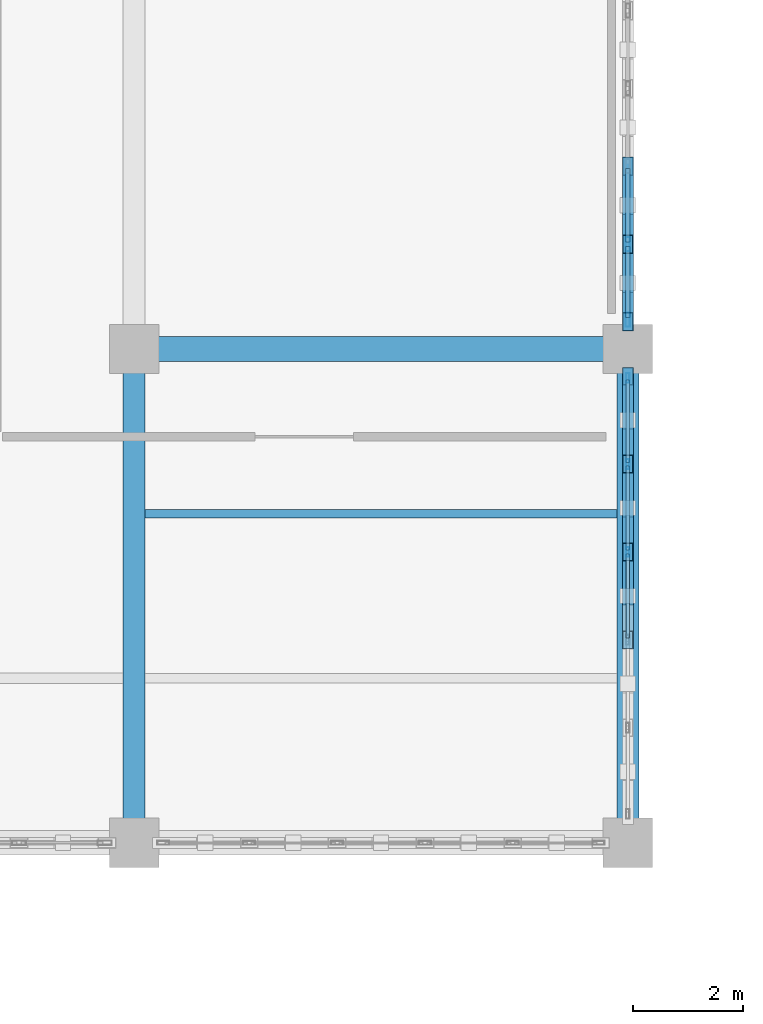
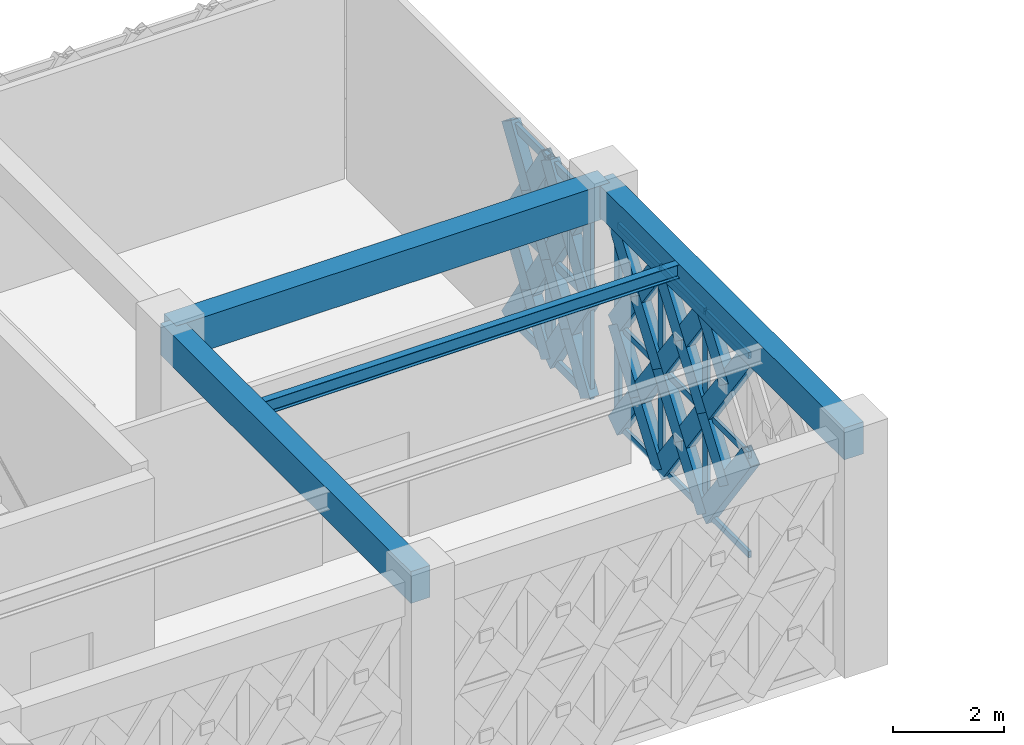
# One storey, part 93 of 166: 48 members, 4 beams, 2 elements without a shape of their own.
"""IFC4 building model written with IfcOpenShell, lengths in metres."""

import ifcopenshell
import ifcopenshell.guid

model = None  # the IFC model being written
_history = None  # IfcOwnerHistory: only IFC2X3 demands one
_inside = {}  # id of a spatial element -> (the spatial element, [elements in it])
_under = {}  # id of a project, library or spatial element -> (it, [spatial elements below it])
_declared = {}  # id of a project -> (the project, [libraries it declares])
_typed = {}  # id of a type object -> (the type object, [elements of that type])
_made_of = {}  # id of a material, layer set ... -> (it, [elements and type objects made of it])


def new_model(schema):
    """Start an empty IFC model of exactly this schema.

    Asked for "IFC4X3", IfcOpenShell would pick the latest addendum, in which some entities
    have other attributes; the version numbers below select the first issue.
    IFC2X3 requires an IfcOwnerHistory on every rooted entity: one is made here for all.
    """
    global model, _history
    if schema == "IFC4X3":
        model = ifcopenshell.file(schema_version=(4, 3, 0, 0))
    else:
        model = ifcopenshell.file(schema=schema)
    _inside.clear()
    _under.clear()
    _declared.clear()
    _typed.clear()
    _made_of.clear()
    _history = None
    if model.schema == "IFC2X3":
        org = make("IfcOrganization", Name="unknown")
        user = make(
            "IfcPersonAndOrganization",
            ThePerson=make("IfcPerson", FamilyName="unknown"),
            TheOrganization=org,
        )
        app = make(
            "IfcApplication",
            ApplicationDeveloper=org,
            Version="unknown",
            ApplicationFullName="unknown",
            ApplicationIdentifier="unknown",
        )
        _history = make(
            "IfcOwnerHistory",
            OwningUser=user,
            OwningApplication=app,
            ChangeAction="ADDED",
            CreationDate=0,
        )
    return model


def make(cls, **values):
    """One entity of the class cls with the attributes given. An attribute that is None is left unset."""
    return model.create_entity(
        cls, **{name: value for name, value in values.items() if value is not None}
    )


def rooted(cls, **values):
    """An entity with a GlobalId (a new one), such as an element, a storey or a relation."""
    return make(cls, GlobalId=ifcopenshell.guid.new(), OwnerHistory=_history, **values)


def si_unit(unit_type, name, prefix=None):
    """IfcSIUnit, for example si_unit("LENGTHUNIT", "METRE", prefix="MILLI")."""
    return make("IfcSIUnit", UnitType=unit_type, Prefix=prefix, Name=name)


def assignment(units):
    """IfcUnitAssignment: the units of a project."""
    return None if units is None else make("IfcUnitAssignment", Units=units)


def point(xyz):
    """IfcCartesianPoint."""
    return None if xyz is None else make("IfcCartesianPoint", Coordinates=xyz)


def direction(xyz):
    """IfcDirection."""
    return None if xyz is None else make("IfcDirection", DirectionRatios=xyz)


def frame(location, z_axis=None, x_axis=None):
    """IfcAxis2Placement3D, a coordinate frame: its origin and axes. An axis left out is left unset."""
    return make(
        "IfcAxis2Placement3D",
        Location=point(location),
        Axis=direction(z_axis),
        RefDirection=direction(x_axis),
    )


def frame_2d(location, x_axis=None):
    """IfcAxis2Placement2D, a coordinate frame in the plane: its origin and x axis."""
    return make(
        "IfcAxis2Placement2D", Location=point(location), RefDirection=direction(x_axis)
    )


def origin():
    """The frame at (0, 0, 0) with its axes left unset."""
    return frame((0.0, 0.0, 0.0))


def origin_2d():
    """The frame at (0, 0) in the plane with its x axis left unset."""
    return frame_2d((0.0, 0.0))


def place(relative_to, where):
    """IfcLocalPlacement: puts the frame where relative to a parent placement (None: the world)."""
    return make(
        "IfcLocalPlacement", PlacementRelTo=relative_to, RelativePlacement=where
    )


def context(
    kind, dimensions, precision=None, world=None, true_north=None, identifier=None
):
    """IfcGeometricRepresentationContext, for example the 3D "Model" context."""
    return make(
        "IfcGeometricRepresentationContext",
        ContextIdentifier=identifier,
        ContextType=kind,
        CoordinateSpaceDimension=dimensions,
        Precision=precision,
        WorldCoordinateSystem=world,
        TrueNorth=true_north,
    )


def subcontext(parent, identifier, kind, view, scale=None):
    """IfcGeometricRepresentationSubContext, for example "Body" below "Model"."""
    return make(
        "IfcGeometricRepresentationSubContext",
        ContextIdentifier=identifier,
        ContextType=kind,
        ParentContext=parent,
        TargetScale=scale,
        TargetView=view,
    )


def project(units=None, contexts=None):
    """IfcProject with its units and contexts."""
    return rooted(
        "IfcProject",
        Name="project",
        RepresentationContexts=contexts,
        UnitsInContext=assignment(units),
    )


def spatial(cls, under=None, at=None, **own):
    """A site, building, storey or space (cls), placed at a placement, below another one or the project."""
    s = rooted(cls, ObjectPlacement=at, **own)
    if under is not None:
        _under.setdefault(under.id(), (under, []))[1].append(s)
    return s


def profile(cls, at=None, kind="AREA", **sizes):
    """A parametric profile (cls). Its sizes go by their IFC names, for example OverallWidth=200.0."""
    return make(cls, ProfileType=kind, Position=at, **sizes)


def rectangle(**sizes):
    """IfcRectangleProfileDef."""
    return profile("IfcRectangleProfileDef", **sizes)


def hollow_rectangle(**sizes):
    """IfcRectangleHollowProfileDef."""
    return profile("IfcRectangleHollowProfileDef", **sizes)


def i_section(**sizes):
    """IfcIShapeProfileDef."""
    return profile("IfcIShapeProfileDef", **sizes)


def extrude(swept, where, along, depth):
    """IfcExtrudedAreaSolid: the profile swept, set in the frame where, extruded along a direction by depth."""
    return make(
        "IfcExtrudedAreaSolid",
        SweptArea=swept,
        Position=where,
        ExtrudedDirection=direction(along),
        Depth=depth,
    )


def shape(context_of_items, identifier, shape_type, items):
    """IfcShapeRepresentation: the items that make up one representation, for example the "Body"."""
    return make(
        "IfcShapeRepresentation",
        ContextOfItems=context_of_items,
        RepresentationIdentifier=identifier,
        RepresentationType=shape_type,
        Items=items,
    )


def material(Name=None, Category=None):
    """IfcMaterial."""
    return make("IfcMaterial", Name=Name, Category=Category)


def material_profile(
    of_material, cross_section, Name=None, Category=None, Priority=None
):
    """IfcMaterialProfile: a cross section and its material."""
    return make(
        "IfcMaterialProfile",
        Name=Name,
        Material=of_material,
        Profile=cross_section,
        Priority=Priority,
        Category=Category,
    )


def profile_set(profiles, Name=None, composite=None):
    """IfcMaterialProfileSet."""
    return make(
        "IfcMaterialProfileSet",
        Name=Name,
        MaterialProfiles=profiles,
        CompositeProfile=composite,
    )


def made_of(thing, what):
    """Note that an element or type object is made of a material, layer set ...; save() writes the relation."""
    if what is not None:
        _made_of.setdefault(what.id(), (what, []))[1].append(thing)
    return thing


def type_object(cls, material=None, **own):
    """A type object (cls), such as IfcWallType, which elements share."""
    return made_of(rooted(cls, **own), material)


def element(
    cls,
    number,
    at=None,
    inside=None,
    cuts=None,
    type_object=None,
    material=None,
    context=None,
    identifier="Body",
    shape_type=None,
    held_by="IfcProductDefinitionShape",
    body=None,
    shapes=None,
    **own,
):
    """One element of the class cls, such as IfcWall. Its Tag is "e" and its number.

    at: its placement. inside: the storey or other place that contains it. cuts: it is an
    opening in that element (IfcRelVoidsElement). A single representation is given by context,
    identifier, shape_type and body (its items); several are given by shapes. held_by: the class
    of the entity that holds the representations. save() writes the other relations.
    """
    e = rooted(cls, Tag="e%d" % number, ObjectPlacement=at, **own)
    if body is not None:
        shapes = [shape(context, identifier, shape_type, body)]
    if shapes is not None:
        e.Representation = make(held_by, Representations=shapes)
    if inside is not None:
        _inside.setdefault(inside.id(), (inside, []))[1].append(e)
    if cuts is not None:
        rooted(
            "IfcRelVoidsElement", RelatingBuildingElement=cuts, RelatedOpeningElement=e
        )
    if type_object is not None:
        _typed.setdefault(type_object.id(), (type_object, []))[1].append(e)
    return made_of(e, material)


def aggregate(whole, parts):
    """IfcRelAggregates: a whole, such as a stair, and the parts it consists of."""
    return rooted("IfcRelAggregates", RelatingObject=whole, RelatedObjects=parts)


def save(model, path):
    """Write the relations noted so far, then the file.

    IfcRelAggregates (storeys below a building ...), IfcRelContainedInSpatialStructure (elements
    in a storey), IfcRelDefinesByType, IfcRelAssociatesMaterial and IfcRelDeclares: one each for
    every whole, place, type object, material and project.
    """
    for whole, parts in _under.values():
        aggregate(whole, parts)
    for where, things in _inside.values():
        rooted(
            "IfcRelContainedInSpatialStructure",
            RelatedElements=things,
            RelatingStructure=where,
        )
    for kind, things in _typed.values():
        rooted("IfcRelDefinesByType", RelatedObjects=things, RelatingType=kind)
    for what, things in _made_of.values():
        rooted("IfcRelAssociatesMaterial", RelatedObjects=things, RelatingMaterial=what)
    for by, libraries in _declared.values():
        rooted("IfcRelDeclares", RelatingContext=by, RelatedDefinitions=libraries)
    model.write(path)


model = new_model("IFC4")

# Units and contexts
model_context = context("Model", 3, precision=1e-05, world=origin(), true_north=direction((0.0, 1.0)))
body_context = subcontext(model_context, "Body", "Model", "MODEL_VIEW")
ifc_project = project(units=[si_unit("LENGTHUNIT", "METRE"), si_unit("AREAUNIT", "SQUARE_METRE"), si_unit("VOLUMEUNIT", "CUBIC_METRE"), si_unit("PLANEANGLEUNIT", "RADIAN"), si_unit("MASSUNIT", "GRAM", prefix="KILO")], contexts=[model_context])

# Site, building, storey
site_placement = place(None, origin())
site = spatial("IfcSite", under=ifc_project, at=site_placement, CompositionType="ELEMENT")
building_placement = place(site_placement, origin())
building = spatial("IfcBuilding", under=site, at=building_placement, Name="Haizhuo Lancet Aquarium", CompositionType="ELEMENT")
storey_placement = place(building_placement, frame((0.0, 0.0, 5.39990234375)))
storey = spatial("IfcBuildingStorey", under=building, at=storey_placement, Name="L01", CompositionType="ELEMENT", Elevation=5.39990234375)

# Beams
ifc_material_1 = material(Name="Concrete C40/50", Category="concrete")
ifc_material_profile_1 = material_profile(ifc_material_1, rectangle(XDim=0.39990234375, YDim=0.699951171875, at=origin_2d()), Name="RC-BM 400x700")
ifc_profile_set_1 = profile_set([ifc_material_profile_1], Name="Concrete C40/50")
beam_type_1 = type_object("IfcBeamType", Name="BM-RC-400x700", PredefinedType="BEAM", material=ifc_profile_set_1)
for number, where, z_axis, x_axis, name in (
    (1, (18.0, 36.0, 4.7900390625), (0.0, 1.0, 0.0), (-1.0, 0.0, 0.0), "L01 V5 primary girder BM-L01-V5-028"),
    (2, (27.0, 36.0, 4.7900390625), (0.0, 1.0, 0.0), (-1.0, 0.0, 0.0), "L01 V5 primary girder BM-L01-V5-032"),
):
    element("IfcBeam", number, at=place(storey_placement, frame(where, z_axis=z_axis, x_axis=x_axis)), inside=storey, type_object=beam_type_1, Name=name, PredefinedType="BEAM", context=body_context, shape_type="SweptSolid", body=[
        extrude(rectangle(XDim=0.39990234375, YDim=0.699951171875, at=origin_2d()), origin(), (0.0, 0.0, 1.0), 9.0),
    ])
ifc_material_profile_2 = material_profile(ifc_material_1, rectangle(XDim=0.449951171875, YDim=0.75, at=origin_2d()), Name="RC-BM 450x750")
ifc_profile_set_2 = profile_set([ifc_material_profile_2], Name="Concrete C40/50")
beam_type_2 = type_object("IfcBeamType", Name="BM-RC-450x750", PredefinedType="BEAM", material=ifc_profile_set_2)
beam_1_placement = place(storey_placement, frame((18.0, 45.0, 4.76513671875), z_axis=(1.0, 0.0, 0.0), x_axis=(0.0, 1.0, 0.0)))
element("IfcBeam", 3, at=beam_1_placement, inside=storey, type_object=beam_type_2, Name="L01 V5 primary girder BM-L01-V5-031", PredefinedType="BEAM", context=body_context, shape_type="SweptSolid", body=[
    extrude(rectangle(XDim=0.449951171875, YDim=0.75, at=origin_2d()), origin(), (0.0, 0.0, 1.0), 9.0),
])

# Curtain wall, members
ifc_material_2 = material(Name="Aluminium 6063-T6", Category="aluminium")
curtain_wall_type_1 = type_object("IfcCurtainWallType", Name="CWD-8010x4440", PredefinedType="NOTDEFINED", material=ifc_material_2)
curtain_wall_1_placement = place(storey_placement, origin())
curtain_wall_1 = element("IfcCurtainWall", 4, at=curtain_wall_1_placement, inside=storey, type_object=curtain_wall_type_1, Name="L01 curtain wall CW-V5-L01-136", PredefinedType="NOTDEFINED")
ifc_material_profile_3 = material_profile(ifc_material_2, hollow_rectangle(XDim=0.06494140625, YDim=0.179931640625, WallThickness=0.00390625, at=origin_2d()), Name="ALU-M 65x180x4")
ifc_profile_set_3 = profile_set([ifc_material_profile_3], Name="Aluminium 6063-T6")
member_type_1 = type_object("IfcMemberType", Name="CW-MUL-1", PredefinedType="MULLION", material=ifc_profile_set_3)
member_1_placement = place(storey_placement, frame((27.0, 44.472900390625, 0.0), z_axis=(0.0, 0.0, 1.0), x_axis=(1.0, 0.0, 0.0)))
member_1 = element("IfcMember", 5, at=member_1_placement, type_object=member_type_1, Name="CWD-80x44 mullion 1", PredefinedType="MULLION", context=body_context, shape_type="SweptSolid", body=[
    extrude(hollow_rectangle(XDim=0.06494140625, YDim=0.179931640625, WallThickness=0.00390625, at=origin_2d()), origin(), (0.0, 0.0, 1.0), 4.440185546875),
])
member_2_placement = place(storey_placement, frame((27.0, 42.903076171875, 0.0), z_axis=(0.0, 0.0, 1.0), x_axis=(1.0, 0.0, 0.0)))
member_2 = element("IfcMember", 6, at=member_2_placement, type_object=member_type_1, Name="CWD-80x44 mullion 2", PredefinedType="MULLION", context=body_context, shape_type="SweptSolid", body=[
    extrude(hollow_rectangle(XDim=0.06494140625, YDim=0.179931640625, WallThickness=0.00390625, at=origin_2d()), origin(), (0.0, 0.0, 1.0), 4.440185546875),
])
member_3_placement = place(storey_placement, frame((27.0, 41.301025390625, 0.0), z_axis=(0.0, 0.0, 1.0), x_axis=(1.0, 0.0, 0.0)))
member_3 = element("IfcMember", 7, at=member_3_placement, type_object=member_type_1, Name="CWD-80x44 mullion 3", PredefinedType="MULLION", context=body_context, shape_type="SweptSolid", body=[
    extrude(hollow_rectangle(XDim=0.06494140625, YDim=0.179931640625, WallThickness=0.00390625, at=origin_2d()), origin(), (0.0, 0.0, 1.0), 4.440185546875),
])

curtain_wall_type_2 = type_object("IfcCurtainWallType", Name="CWD-8510x4380", PredefinedType="NOTDEFINED", material=ifc_material_2)
curtain_wall_2_placement = place(storey_placement, origin())
curtain_wall_2 = element("IfcCurtainWall", 8, at=curtain_wall_2_placement, inside=storey, type_object=curtain_wall_type_2, Name="L01 curtain wall CW-V5-L01-135", PredefinedType="NOTDEFINED")
ifc_material_profile_4 = material_profile(ifc_material_2, hollow_rectangle(XDim=0.080078125, YDim=0.260009765625, WallThickness=0.0048828125, at=origin_2d()), Name="ALU-M 80x260x5")
ifc_profile_set_4 = profile_set([ifc_material_profile_4], Name="Aluminium 6063-T6")
member_type_2 = type_object("IfcMemberType", Name="CW-MUL-3", PredefinedType="MULLION", material=ifc_profile_set_4)
member_4_placement = place(storey_placement, frame((27.0, 46.912109375, 0.0), z_axis=(0.0, 0.0, 1.0), x_axis=(1.0, 0.0, 0.0)))
member_4 = element("IfcMember", 9, at=member_4_placement, type_object=member_type_2, Name="CWD-85x43 mullion 6", PredefinedType="MULLION", context=body_context, shape_type="SweptSolid", body=[
    extrude(hollow_rectangle(XDim=0.080078125, YDim=0.260009765625, WallThickness=0.0048828125, at=origin_2d()), origin(), (0.0, 0.0, 1.0), 4.375),
])
member_5_placement = place(storey_placement, frame((27.0, 45.534912109375, 0.0), z_axis=(0.0, 0.0, 1.0), x_axis=(1.0, 0.0, 0.0)))
member_5 = element("IfcMember", 10, at=member_5_placement, type_object=member_type_2, Name="CWD-85x43 mullion 7", PredefinedType="MULLION", context=body_context, shape_type="SweptSolid", body=[
    extrude(hollow_rectangle(XDim=0.080078125, YDim=0.260009765625, WallThickness=0.0048828125, at=origin_2d()), origin(), (0.0, 0.0, 1.0), 4.375),
])

# Member
ifc_material_profile_5 = material_profile(ifc_material_2, hollow_rectangle(XDim=0.06494140625, YDim=0.139892578125, WallThickness=0.00390625, at=origin_2d()), Name="ALU-T 65x140x4")
ifc_profile_set_5 = profile_set([ifc_material_profile_5], Name="Aluminium 6063-T6")
member_type_3 = type_object("IfcMemberType", Name="CW-TRN-1", PredefinedType="NOTDEFINED", material=ifc_profile_set_5)
member_6_placement = place(storey_placement, frame((27.0, 44.43994140625, 0.033203125), z_axis=(0.0, -1.0, 0.0), x_axis=(1.0, 0.0, 0.0)))
member_6 = element("IfcMember", 11, at=member_6_placement, type_object=member_type_3, Name="CWD-80x44 transom 1.1", ObjectType="TRANSOM", PredefinedType="USERDEFINED", context=body_context, shape_type="SweptSolid", body=[
    extrude(hollow_rectangle(XDim=0.06494140625, YDim=0.139892578125, WallThickness=0.00390625, at=origin_2d()), origin(), (0.0, 0.0, 1.0), 1.50390625),
])

member_7_placement = place(storey_placement, frame((27.0, 44.43994140625, 2.22021484375), z_axis=(0.0, -1.0, 0.0), x_axis=(1.0, 0.0, 0.0)))
member_7 = element("IfcMember", 12, at=member_7_placement, type_object=member_type_3, Name="CWD-80x44 transom 1.2", ObjectType="TRANSOM", PredefinedType="USERDEFINED", context=body_context, shape_type="SweptSolid", body=[
    extrude(hollow_rectangle(XDim=0.06494140625, YDim=0.139892578125, WallThickness=0.00390625, at=origin_2d()), origin(), (0.0, 0.0, 1.0), 1.50390625),
])

member_8_placement = place(storey_placement, frame((27.0, 44.43994140625, 4.406982421875), z_axis=(0.0, -1.0, 0.0), x_axis=(1.0, 0.0, 0.0)))
member_8 = element("IfcMember", 13, at=member_8_placement, type_object=member_type_3, Name="CWD-80x44 transom 1.3", ObjectType="TRANSOM", PredefinedType="USERDEFINED", context=body_context, shape_type="SweptSolid", body=[
    extrude(hollow_rectangle(XDim=0.06494140625, YDim=0.139892578125, WallThickness=0.00390625, at=origin_2d()), origin(), (0.0, 0.0, 1.0), 1.50390625),
])

member_9_placement = place(storey_placement, frame((27.0, 42.8701171875, 0.033203125), z_axis=(0.0, -1.0, 0.0), x_axis=(1.0, 0.0, 0.0)))
member_9 = element("IfcMember", 14, at=member_9_placement, type_object=member_type_3, Name="CWD-80x44 transom 2.1", ObjectType="TRANSOM", PredefinedType="USERDEFINED", context=body_context, shape_type="SweptSolid", body=[
    extrude(hollow_rectangle(XDim=0.06494140625, YDim=0.139892578125, WallThickness=0.00390625, at=origin_2d()), origin(), (0.0, 0.0, 1.0), 1.5361328125),
])

member_10_placement = place(storey_placement, frame((27.0, 42.8701171875, 2.22021484375), z_axis=(0.0, -1.0, 0.0), x_axis=(1.0, 0.0, 0.0)))
member_10 = element("IfcMember", 15, at=member_10_placement, type_object=member_type_3, Name="CWD-80x44 transom 2.2", ObjectType="TRANSOM", PredefinedType="USERDEFINED", context=body_context, shape_type="SweptSolid", body=[
    extrude(hollow_rectangle(XDim=0.06494140625, YDim=0.139892578125, WallThickness=0.00390625, at=origin_2d()), origin(), (0.0, 0.0, 1.0), 1.5361328125),
])

member_11_placement = place(storey_placement, frame((27.0, 42.8701171875, 4.406982421875), z_axis=(0.0, -1.0, 0.0), x_axis=(1.0, 0.0, 0.0)))
member_11 = element("IfcMember", 16, at=member_11_placement, type_object=member_type_3, Name="CWD-80x44 transom 2.3", ObjectType="TRANSOM", PredefinedType="USERDEFINED", context=body_context, shape_type="SweptSolid", body=[
    extrude(hollow_rectangle(XDim=0.06494140625, YDim=0.139892578125, WallThickness=0.00390625, at=origin_2d()), origin(), (0.0, 0.0, 1.0), 1.5361328125),
])

member_12_placement = place(storey_placement, frame((27.0, 41.26904296875, 0.033203125), z_axis=(0.0, -1.0, 0.0), x_axis=(1.0, 0.0, 0.0)))
member_12 = element("IfcMember", 17, at=member_12_placement, type_object=member_type_3, Name="CWD-80x44 transom 3.1", ObjectType="TRANSOM", PredefinedType="USERDEFINED", context=body_context, shape_type="SweptSolid", body=[
    extrude(hollow_rectangle(XDim=0.06494140625, YDim=0.139892578125, WallThickness=0.00390625, at=origin_2d()), origin(), (0.0, 0.0, 1.0), 1.5380859375),
])

member_13_placement = place(storey_placement, frame((27.0, 41.26904296875, 2.22021484375), z_axis=(0.0, -1.0, 0.0), x_axis=(1.0, 0.0, 0.0)))
member_13 = element("IfcMember", 18, at=member_13_placement, type_object=member_type_3, Name="CWD-80x44 transom 3.2", ObjectType="TRANSOM", PredefinedType="USERDEFINED", context=body_context, shape_type="SweptSolid", body=[
    extrude(hollow_rectangle(XDim=0.06494140625, YDim=0.139892578125, WallThickness=0.00390625, at=origin_2d()), origin(), (0.0, 0.0, 1.0), 1.5380859375),
])

member_14_placement = place(storey_placement, frame((27.0, 41.26904296875, 4.406982421875), z_axis=(0.0, -1.0, 0.0), x_axis=(1.0, 0.0, 0.0)))
member_14 = element("IfcMember", 19, at=member_14_placement, type_object=member_type_3, Name="CWD-80x44 transom 3.3", ObjectType="TRANSOM", PredefinedType="USERDEFINED", context=body_context, shape_type="SweptSolid", body=[
    extrude(hollow_rectangle(XDim=0.06494140625, YDim=0.139892578125, WallThickness=0.00390625, at=origin_2d()), origin(), (0.0, 0.0, 1.0), 1.5380859375),
])

aggregate(curtain_wall_1, [member_1, member_2, member_3, member_6, member_7, member_8, member_9, member_10, member_11, member_12, member_13, member_14])

ifc_material_profile_6 = material_profile(ifc_material_2, hollow_rectangle(XDim=0.080078125, YDim=0.18994140625, WallThickness=0.0048828125, at=origin_2d()), Name="ALU-T 80x190x5")
ifc_profile_set_6 = profile_set([ifc_material_profile_6], Name="Aluminium 6063-T6")
member_type_4 = type_object("IfcMemberType", Name="CW-TRN-3", PredefinedType="NOTDEFINED", material=ifc_profile_set_6)
member_15_placement = place(storey_placement, frame((27.0, 48.2900390625, 0.0400390625), z_axis=(0.0, -1.0, 0.0), x_axis=(1.0, 0.0, 0.0)))
member_15 = element("IfcMember", 20, at=member_15_placement, type_object=member_type_4, Name="CWD-85x43 transom 5.1", ObjectType="TRANSOM", PredefinedType="USERDEFINED", context=body_context, shape_type="SweptSolid", body=[
    extrude(hollow_rectangle(XDim=0.080078125, YDim=0.18994140625, WallThickness=0.0048828125, at=origin_2d()), origin(), (0.0, 0.0, 1.0), 1.337158203125),
])

member_16_placement = place(storey_placement, frame((27.0, 48.2900390625, 2.18798828125), z_axis=(0.0, -1.0, 0.0), x_axis=(1.0, 0.0, 0.0)))
member_16 = element("IfcMember", 21, at=member_16_placement, type_object=member_type_4, Name="CWD-85x43 transom 5.2", ObjectType="TRANSOM", PredefinedType="USERDEFINED", context=body_context, shape_type="SweptSolid", body=[
    extrude(hollow_rectangle(XDim=0.080078125, YDim=0.18994140625, WallThickness=0.0048828125, at=origin_2d()), origin(), (0.0, 0.0, 1.0), 1.337158203125),
])

member_17_placement = place(storey_placement, frame((27.0, 48.2900390625, 4.335205078125), z_axis=(0.0, -1.0, 0.0), x_axis=(1.0, 0.0, 0.0)))
member_17 = element("IfcMember", 22, at=member_17_placement, type_object=member_type_4, Name="CWD-85x43 transom 5.3", ObjectType="TRANSOM", PredefinedType="USERDEFINED", context=body_context, shape_type="SweptSolid", body=[
    extrude(hollow_rectangle(XDim=0.080078125, YDim=0.18994140625, WallThickness=0.0048828125, at=origin_2d()), origin(), (0.0, 0.0, 1.0), 1.337158203125),
])

member_18_placement = place(storey_placement, frame((27.0, 46.8720703125, 0.0400390625), z_axis=(0.0, -1.0, 0.0), x_axis=(1.0, 0.0, 0.0)))
member_18 = element("IfcMember", 23, at=member_18_placement, type_object=member_type_4, Name="CWD-85x43 transom 6.1", ObjectType="TRANSOM", PredefinedType="USERDEFINED", context=body_context, shape_type="SweptSolid", body=[
    extrude(hollow_rectangle(XDim=0.080078125, YDim=0.18994140625, WallThickness=0.0048828125, at=origin_2d()), origin(), (0.0, 0.0, 1.0), 1.297119140625),
])

member_19_placement = place(storey_placement, frame((27.0, 46.8720703125, 2.18798828125), z_axis=(0.0, -1.0, 0.0), x_axis=(1.0, 0.0, 0.0)))
member_19 = element("IfcMember", 24, at=member_19_placement, type_object=member_type_4, Name="CWD-85x43 transom 6.2", ObjectType="TRANSOM", PredefinedType="USERDEFINED", context=body_context, shape_type="SweptSolid", body=[
    extrude(hollow_rectangle(XDim=0.080078125, YDim=0.18994140625, WallThickness=0.0048828125, at=origin_2d()), origin(), (0.0, 0.0, 1.0), 1.297119140625),
])

member_20_placement = place(storey_placement, frame((27.0, 46.8720703125, 4.335205078125), z_axis=(0.0, -1.0, 0.0), x_axis=(1.0, 0.0, 0.0)))
member_20 = element("IfcMember", 25, at=member_20_placement, type_object=member_type_4, Name="CWD-85x43 transom 6.3", ObjectType="TRANSOM", PredefinedType="USERDEFINED", context=body_context, shape_type="SweptSolid", body=[
    extrude(hollow_rectangle(XDim=0.080078125, YDim=0.18994140625, WallThickness=0.0048828125, at=origin_2d()), origin(), (0.0, 0.0, 1.0), 1.297119140625),
])

aggregate(curtain_wall_2, [member_4, member_5, member_15, member_16, member_17, member_18, member_19, member_20])

# Beam
ifc_material_3 = material(Name="Steel S355", Category="steel")
ifc_material_profile_7 = material_profile(ifc_material_3, i_section(OverallWidth=0.14990234375, OverallDepth=0.300048828125, WebThickness=0.006591796875, FlangeThickness=0.009033203125, FilletRadius=0.012939453125, at=origin_2d()), Name="HN 300x150x6.5x9")
ifc_profile_set_7 = profile_set([ifc_material_profile_7], Name="Steel S355")
beam_type_3 = type_object("IfcBeamType", Name="JST-ST-HN300", PredefinedType="JOIST", material=ifc_profile_set_7)
beam_2_placement = place(storey_placement, frame((18.199951171875, 42.0, 4.989990234375), z_axis=(1.0, 0.0, 0.0), x_axis=(0.0, 1.0, 0.0)))
element("IfcBeam", 26, at=beam_2_placement, inside=storey, type_object=beam_type_3, Name="L01 V5 secondary floor joist 22", PredefinedType="JOIST", context=body_context, shape_type="SweptSolid", body=[
    extrude(i_section(OverallWidth=0.14990234375, OverallDepth=0.300048828125, WebThickness=0.006591796875, FlangeThickness=0.009033203125, FilletRadius=0.012939453125, at=origin_2d()), origin(), (0.0, 0.0, 1.0), 8.60009765625),
])

# Members
ifc_material_profile_8 = material_profile(ifc_material_3, hollow_rectangle(XDim=0.199951171875, YDim=0.39990234375, WallThickness=0.011962890625, at=origin_2d()), Name="RHS 200x400x12")
ifc_profile_set_8 = profile_set([ifc_material_profile_8], Name="Steel S355")
member_type_5 = type_object("IfcMemberType", Name="MEM-LB-RHS200x400", PredefinedType="BRACE", material=ifc_profile_set_8)
member_21_placement = place(storey_placement, frame((27.0, 48.330078125, 0.0), z_axis=(0.0, -0.543849052786, 0.839183059757), x_axis=(1.0, 0.0, 0.0)))
element("IfcMember", 27, at=member_21_placement, inside=storey, type_object=member_type_5, Name="Gothic lancet continuous diagonal brace CW-V5-L01-135 9A", PredefinedType="BRACE", context=body_context, shape_type="SweptSolid", body=[
    extrude(hollow_rectangle(XDim=0.199951171875, YDim=0.39990234375, WallThickness=0.011962890625, at=origin_2d()), origin(), (0.0, 0.0, 1.0), 2.607177734375),
])
for number, where, z_axis, x_axis, name in (
    (28, (27.0, 46.912109375, 0.0), (0.0, 0.543849052786, 0.839183059757), (-1.0, 0.0, 0.0), "Gothic lancet split diagonal brace CW-V5-L01-135 9B1"),
    (29, (27.0, 47.62109375, 1.093994140625), (0.0, 0.543849052786, 0.839183059757), (-1.0, 0.0, 0.0), "Gothic lancet split diagonal brace CW-V5-L01-135 9B2"),
):
    element("IfcMember", number, at=place(storey_placement, frame(where, z_axis=z_axis, x_axis=x_axis)), inside=storey, type_object=member_type_5, Name=name, PredefinedType="BRACE", context=body_context, shape_type="SweptSolid", body=[
        extrude(hollow_rectangle(XDim=0.199951171875, YDim=0.39990234375, WallThickness=0.011962890625, at=origin_2d()), origin(), (0.0, 0.0, 1.0), 1.3037109375),
    ])
member_22_placement = place(storey_placement, frame((27.0, 48.330078125, 2.18798828125), z_axis=(0.0, -0.544020036477, 0.839072225682), x_axis=(1.0, 0.0, 0.0)))
element("IfcMember", 30, at=member_22_placement, inside=storey, type_object=member_type_5, Name="Gothic lancet continuous diagonal brace CW-V5-L01-135 10A", PredefinedType="BRACE", context=body_context, shape_type="SweptSolid", body=[
    extrude(hollow_rectangle(XDim=0.199951171875, YDim=0.39990234375, WallThickness=0.011962890625, at=origin_2d()), origin(), (0.0, 0.0, 1.0), 2.6064453125),
])
member_23_placement = place(storey_placement, frame((27.0, 46.912109375, 2.18798828125), z_axis=(0.0, 0.544191105099, 0.838961287028), x_axis=(-1.0, 0.0, 0.0)))
element("IfcMember", 31, at=member_23_placement, inside=storey, type_object=member_type_5, Name="Gothic lancet split diagonal brace CW-V5-L01-135 10B1", PredefinedType="BRACE", context=body_context, shape_type="SweptSolid", body=[
    extrude(hollow_rectangle(XDim=0.199951171875, YDim=0.39990234375, WallThickness=0.011962890625, at=origin_2d()), origin(), (0.0, 0.0, 1.0), 1.302734375),
])
member_24_placement = place(storey_placement, frame((27.0, 47.62109375, 3.281005859375), z_axis=(0.0, 0.543849052786, 0.839183059757), x_axis=(-1.0, 0.0, 0.0)))
element("IfcMember", 32, at=member_24_placement, inside=storey, type_object=member_type_5, Name="Gothic lancet split diagonal brace CW-V5-L01-135 10B2", PredefinedType="BRACE", context=body_context, shape_type="SweptSolid", body=[
    extrude(hollow_rectangle(XDim=0.199951171875, YDim=0.39990234375, WallThickness=0.011962890625, at=origin_2d()), origin(), (0.0, 0.0, 1.0), 1.3037109375),
])
member_25_placement = place(storey_placement, frame((27.0, 46.912109375, 0.0), z_axis=(0.0, -0.543585202318, 0.839353994344), x_axis=(1.0, 0.0, 0.0)))
element("IfcMember", 33, at=member_25_placement, inside=storey, type_object=member_type_5, Name="Gothic lancet continuous diagonal brace CW-V5-L01-135 11A", PredefinedType="BRACE", context=body_context, shape_type="SweptSolid", body=[
    extrude(hollow_rectangle(XDim=0.199951171875, YDim=0.39990234375, WallThickness=0.011962890625, at=origin_2d()), origin(), (0.0, 0.0, 1.0), 2.606689453125),
])
member_26_placement = place(storey_placement, frame((27.0, 45.4951171875, 0.0), z_axis=(0.0, 0.543189124269, 0.83961037111), x_axis=(-1.0, 0.0, 0.0)))
element("IfcMember", 34, at=member_26_placement, inside=storey, type_object=member_type_5, Name="Gothic lancet split diagonal brace CW-V5-L01-135 11B1", PredefinedType="BRACE", context=body_context, shape_type="SweptSolid", body=[
    extrude(hollow_rectangle(XDim=0.199951171875, YDim=0.39990234375, WallThickness=0.011962890625, at=origin_2d()), origin(), (0.0, 0.0, 1.0), 1.302978515625),
])
member_27_placement = place(storey_placement, frame((27.0, 46.202880859375, 1.093994140625), z_axis=(0.0, 0.543980917571, 0.839097587482), x_axis=(-1.0, 0.0, 0.0)))
element("IfcMember", 35, at=member_27_placement, inside=storey, type_object=member_type_5, Name="Gothic lancet split diagonal brace CW-V5-L01-135 11B2", PredefinedType="BRACE", context=body_context, shape_type="SweptSolid", body=[
    extrude(hollow_rectangle(XDim=0.199951171875, YDim=0.39990234375, WallThickness=0.011962890625, at=origin_2d()), origin(), (0.0, 0.0, 1.0), 1.3037109375),
])
member_28_placement = place(storey_placement, frame((27.0, 46.912109375, 2.18798828125), z_axis=(0.0, -0.543756172717, 0.839243245211), x_axis=(1.0, 0.0, 0.0)))
element("IfcMember", 36, at=member_28_placement, inside=storey, type_object=member_type_5, Name="Gothic lancet continuous diagonal brace CW-V5-L01-135 12A", PredefinedType="BRACE", context=body_context, shape_type="SweptSolid", body=[
    extrude(hollow_rectangle(XDim=0.199951171875, YDim=0.39990234375, WallThickness=0.011962890625, at=origin_2d()), origin(), (0.0, 0.0, 1.0), 2.60595703125),
])
member_29_placement = place(storey_placement, frame((27.0, 45.4951171875, 2.18798828125), z_axis=(0.0, 0.543531109862, 0.839389023405), x_axis=(-1.0, 0.0, 0.0)))
element("IfcMember", 37, at=member_29_placement, inside=storey, type_object=member_type_5, Name="Gothic lancet split diagonal brace CW-V5-L01-135 12B1", PredefinedType="BRACE", context=body_context, shape_type="SweptSolid", body=[
    extrude(hollow_rectangle(XDim=0.199951171875, YDim=0.39990234375, WallThickness=0.011962890625, at=origin_2d()), origin(), (0.0, 0.0, 1.0), 1.30224609375),
])
member_30_placement = place(storey_placement, frame((27.0, 46.202880859375, 3.281005859375), z_axis=(0.0, 0.543980917571, 0.839097587482), x_axis=(-1.0, 0.0, 0.0)))
element("IfcMember", 38, at=member_30_placement, inside=storey, type_object=member_type_5, Name="Gothic lancet split diagonal brace CW-V5-L01-135 12B2", PredefinedType="BRACE", context=body_context, shape_type="SweptSolid", body=[
    extrude(hollow_rectangle(XDim=0.199951171875, YDim=0.39990234375, WallThickness=0.011962890625, at=origin_2d()), origin(), (0.0, 0.0, 1.0), 1.3037109375),
])
member_31_placement = place(storey_placement, frame((27.0, 44.5048828125, 0.0), z_axis=(0.0, -0.58508674522, 0.810970714988), x_axis=(1.0, 0.0, 0.0)))
element("IfcMember", 39, at=member_31_placement, inside=storey, type_object=member_type_5, Name="Gothic lancet continuous diagonal brace CW-V5-L01-136 1A", PredefinedType="BRACE", context=body_context, shape_type="SweptSolid", body=[
    extrude(hollow_rectangle(XDim=0.199951171875, YDim=0.39990234375, WallThickness=0.011962890625, at=origin_2d()), origin(), (0.0, 0.0, 1.0), 2.73779296875),
])
for number, where, z_axis, x_axis, name in (
    (40, (27.0, 42.903076171875, 0.0), (0.0, 0.585145389624, 0.810928401896), (-1.0, 0.0, 0.0), "Gothic lancet split diagonal brace CW-V5-L01-136 1B1"),
    (41, (27.0, 43.7041015625, 1.110107421875), (0.0, 0.585028091636, 0.811013028253), (-1.0, 0.0, 0.0), "Gothic lancet split diagonal brace CW-V5-L01-136 1B2"),
):
    element("IfcMember", number, at=place(storey_placement, frame(where, z_axis=z_axis, x_axis=x_axis)), inside=storey, type_object=member_type_5, Name=name, PredefinedType="BRACE", context=body_context, shape_type="SweptSolid", body=[
        extrude(hollow_rectangle(XDim=0.199951171875, YDim=0.39990234375, WallThickness=0.011962890625, at=origin_2d()), origin(), (0.0, 0.0, 1.0), 1.368896484375),
    ])
member_32_placement = place(storey_placement, frame((27.0, 44.5048828125, 2.22021484375), z_axis=(0.0, -0.585129060663, 0.810940184211), x_axis=(1.0, 0.0, 0.0)))
element("IfcMember", 42, at=member_32_placement, inside=storey, type_object=member_type_5, Name="Gothic lancet continuous diagonal brace CW-V5-L01-136 2A", PredefinedType="BRACE", context=body_context, shape_type="SweptSolid", body=[
    extrude(hollow_rectangle(XDim=0.199951171875, YDim=0.39990234375, WallThickness=0.011962890625, at=origin_2d()), origin(), (0.0, 0.0, 1.0), 2.737548828125),
])
member_33_placement = place(storey_placement, frame((27.0, 42.903076171875, 2.22021484375), z_axis=(0.0, 0.585230024685, 0.810867324663), x_axis=(-1.0, 0.0, 0.0)))
element("IfcMember", 43, at=member_33_placement, inside=storey, type_object=member_type_5, Name="Gothic lancet split diagonal brace CW-V5-L01-136 2B1", PredefinedType="BRACE", context=body_context, shape_type="SweptSolid", body=[
    extrude(hollow_rectangle(XDim=0.199951171875, YDim=0.39990234375, WallThickness=0.011962890625, at=origin_2d()), origin(), (0.0, 0.0, 1.0), 1.36865234375),
])
member_34_placement = place(storey_placement, frame((27.0, 43.7041015625, 3.330078125), z_axis=(0.0, 0.585028091636, 0.811013028253), x_axis=(-1.0, 0.0, 0.0)))
element("IfcMember", 44, at=member_34_placement, inside=storey, type_object=member_type_5, Name="Gothic lancet split diagonal brace CW-V5-L01-136 2B2", PredefinedType="BRACE", context=body_context, shape_type="SweptSolid", body=[
    extrude(hollow_rectangle(XDim=0.199951171875, YDim=0.39990234375, WallThickness=0.011962890625, at=origin_2d()), origin(), (0.0, 0.0, 1.0), 1.368896484375),
])
member_35_placement = place(storey_placement, frame((27.0, 42.903076171875, 0.0), z_axis=(0.0, -0.585145389624, 0.810928401896), x_axis=(1.0, 0.0, 0.0)))
element("IfcMember", 45, at=member_35_placement, inside=storey, type_object=member_type_5, Name="Gothic lancet continuous diagonal brace CW-V5-L01-136 3A", PredefinedType="BRACE", context=body_context, shape_type="SweptSolid", body=[
    extrude(hollow_rectangle(XDim=0.199951171875, YDim=0.39990234375, WallThickness=0.011962890625, at=origin_2d()), origin(), (0.0, 0.0, 1.0), 2.73779296875),
])
for number, where, z_axis, x_axis, name in (
    (46, (27.0, 41.301025390625, 0.0), (0.0, 0.585145389624, 0.810928401896), (-1.0, 0.0, 0.0), "Gothic lancet split diagonal brace CW-V5-L01-136 3B1"),
    (47, (27.0, 42.10205078125, 1.110107421875), (0.0, 0.585145389624, 0.810928401896), (-1.0, 0.0, 0.0), "Gothic lancet split diagonal brace CW-V5-L01-136 3B2"),
):
    element("IfcMember", number, at=place(storey_placement, frame(where, z_axis=z_axis, x_axis=x_axis)), inside=storey, type_object=member_type_5, Name=name, PredefinedType="BRACE", context=body_context, shape_type="SweptSolid", body=[
        extrude(hollow_rectangle(XDim=0.199951171875, YDim=0.39990234375, WallThickness=0.011962890625, at=origin_2d()), origin(), (0.0, 0.0, 1.0), 1.368896484375),
    ])
member_36_placement = place(storey_placement, frame((27.0, 42.903076171875, 2.22021484375), z_axis=(0.0, -0.585187704891, 0.810897866592), x_axis=(1.0, 0.0, 0.0)))
element("IfcMember", 48, at=member_36_placement, inside=storey, type_object=member_type_5, Name="Gothic lancet continuous diagonal brace CW-V5-L01-136 4A", PredefinedType="BRACE", context=body_context, shape_type="SweptSolid", body=[
    extrude(hollow_rectangle(XDim=0.199951171875, YDim=0.39990234375, WallThickness=0.011962890625, at=origin_2d()), origin(), (0.0, 0.0, 1.0), 2.737548828125),
])
member_37_placement = place(storey_placement, frame((27.0, 41.301025390625, 2.22021484375), z_axis=(0.0, 0.585230024685, 0.810867324663), x_axis=(-1.0, 0.0, 0.0)))
element("IfcMember", 49, at=member_37_placement, inside=storey, type_object=member_type_5, Name="Gothic lancet split diagonal brace CW-V5-L01-136 4B1", PredefinedType="BRACE", context=body_context, shape_type="SweptSolid", body=[
    extrude(hollow_rectangle(XDim=0.199951171875, YDim=0.39990234375, WallThickness=0.011962890625, at=origin_2d()), origin(), (0.0, 0.0, 1.0), 1.36865234375),
])
member_38_placement = place(storey_placement, frame((27.0, 42.10205078125, 3.330078125), z_axis=(0.0, 0.585145389624, 0.810928401896), x_axis=(-1.0, 0.0, 0.0)))
element("IfcMember", 50, at=member_38_placement, inside=storey, type_object=member_type_5, Name="Gothic lancet split diagonal brace CW-V5-L01-136 4B2", PredefinedType="BRACE", context=body_context, shape_type="SweptSolid", body=[
    extrude(hollow_rectangle(XDim=0.199951171875, YDim=0.39990234375, WallThickness=0.011962890625, at=origin_2d()), origin(), (0.0, 0.0, 1.0), 1.368896484375),
])
member_39_placement = place(storey_placement, frame((27.0, 41.301025390625, 0.0), z_axis=(0.0, -0.585145389624, 0.810928401896), x_axis=(1.0, 0.0, 0.0)))
element("IfcMember", 51, at=member_39_placement, inside=storey, type_object=member_type_5, Name="Gothic lancet continuous diagonal brace CW-V5-L01-136 5A", PredefinedType="BRACE", context=body_context, shape_type="SweptSolid", body=[
    extrude(hollow_rectangle(XDim=0.199951171875, YDim=0.39990234375, WallThickness=0.011962890625, at=origin_2d()), origin(), (0.0, 0.0, 1.0), 2.73779296875),
])
member_40_placement = place(storey_placement, frame((27.0, 40.5, 1.110107421875), z_axis=(0.0, 0.585145389624, 0.810928401896), x_axis=(-1.0, 0.0, 0.0)))
element("IfcMember", 52, at=member_40_placement, inside=storey, type_object=member_type_5, Name="Gothic lancet split diagonal brace CW-V5-L01-136 5B2", PredefinedType="BRACE", context=body_context, shape_type="SweptSolid", body=[
    extrude(hollow_rectangle(XDim=0.199951171875, YDim=0.39990234375, WallThickness=0.011962890625, at=origin_2d()), origin(), (0.0, 0.0, 1.0), 1.368896484375),
])
member_41_placement = place(storey_placement, frame((27.0, 41.301025390625, 2.22021484375), z_axis=(0.0, -0.585187704891, 0.810897866592), x_axis=(1.0, 0.0, 0.0)))
element("IfcMember", 53, at=member_41_placement, inside=storey, type_object=member_type_5, Name="Gothic lancet continuous diagonal brace CW-V5-L01-136 6A", PredefinedType="BRACE", context=body_context, shape_type="SweptSolid", body=[
    extrude(hollow_rectangle(XDim=0.199951171875, YDim=0.39990234375, WallThickness=0.011962890625, at=origin_2d()), origin(), (0.0, 0.0, 1.0), 2.737548828125),
])
member_42_placement = place(storey_placement, frame((27.0, 40.5, 3.330078125), z_axis=(0.0, 0.585145389624, 0.810928401896), x_axis=(-1.0, 0.0, 0.0)))
element("IfcMember", 54, at=member_42_placement, inside=storey, type_object=member_type_5, Name="Gothic lancet split diagonal brace CW-V5-L01-136 6B2", PredefinedType="BRACE", context=body_context, shape_type="SweptSolid", body=[
    extrude(hollow_rectangle(XDim=0.199951171875, YDim=0.39990234375, WallThickness=0.011962890625, at=origin_2d()), origin(), (0.0, 0.0, 1.0), 1.368896484375),
])

save(model, "model.ifc")
